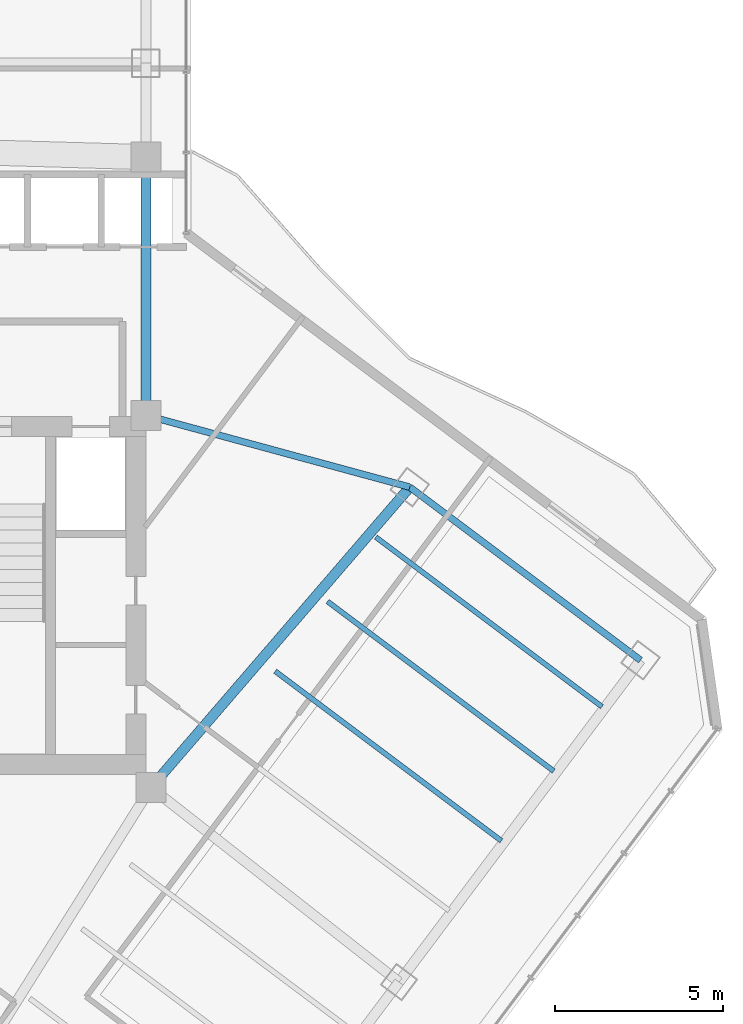
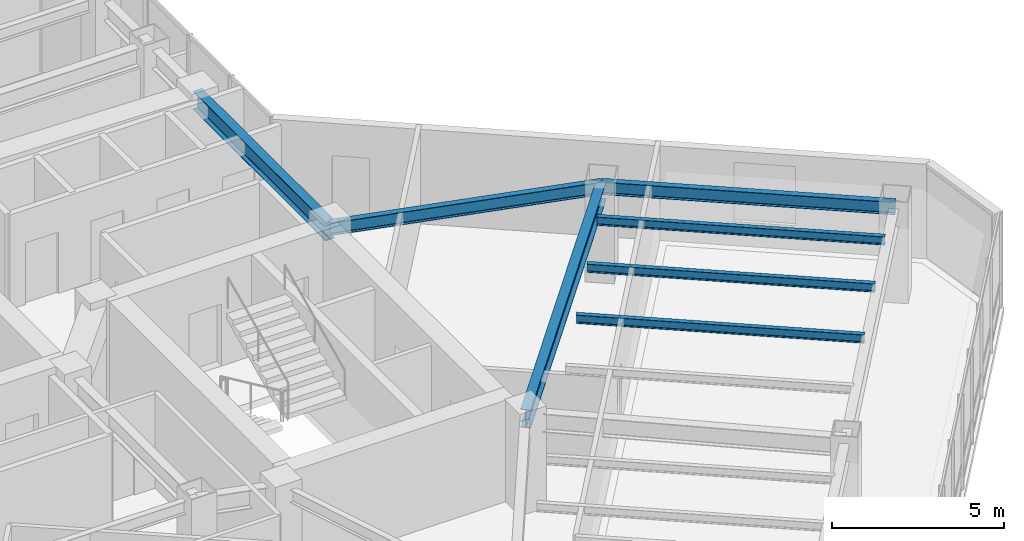
# One storey, part 14 of 26: 7 beams.
"""IFC4 building model written with IfcOpenShell, lengths in metres."""

import ifcopenshell
import ifcopenshell.guid

model = None  # the IFC model being written
_history = None  # IfcOwnerHistory: only IFC2X3 demands one
_inside = {}  # id of a spatial element -> (the spatial element, [elements in it])
_under = {}  # id of a project, library or spatial element -> (it, [spatial elements below it])
_declared = {}  # id of a project -> (the project, [libraries it declares])
_typed = {}  # id of a type object -> (the type object, [elements of that type])
_made_of = {}  # id of a material, layer set ... -> (it, [elements and type objects made of it])


def new_model(schema):
    """Start an empty IFC model of exactly this schema.

    Asked for "IFC4X3", IfcOpenShell would pick the latest addendum, in which some entities
    have other attributes; the version numbers below select the first issue.
    IFC2X3 requires an IfcOwnerHistory on every rooted entity: one is made here for all.
    """
    global model, _history
    if schema == "IFC4X3":
        model = ifcopenshell.file(schema_version=(4, 3, 0, 0))
    else:
        model = ifcopenshell.file(schema=schema)
    _inside.clear()
    _under.clear()
    _declared.clear()
    _typed.clear()
    _made_of.clear()
    _history = None
    if model.schema == "IFC2X3":
        org = make("IfcOrganization", Name="unknown")
        user = make(
            "IfcPersonAndOrganization",
            ThePerson=make("IfcPerson", FamilyName="unknown"),
            TheOrganization=org,
        )
        app = make(
            "IfcApplication",
            ApplicationDeveloper=org,
            Version="unknown",
            ApplicationFullName="unknown",
            ApplicationIdentifier="unknown",
        )
        _history = make(
            "IfcOwnerHistory",
            OwningUser=user,
            OwningApplication=app,
            ChangeAction="ADDED",
            CreationDate=0,
        )
    return model


def make(cls, **values):
    """One entity of the class cls with the attributes given. An attribute that is None is left unset."""
    return model.create_entity(
        cls, **{name: value for name, value in values.items() if value is not None}
    )


def rooted(cls, **values):
    """An entity with a GlobalId (a new one), such as an element, a storey or a relation."""
    return make(cls, GlobalId=ifcopenshell.guid.new(), OwnerHistory=_history, **values)


def si_unit(unit_type, name, prefix=None):
    """IfcSIUnit, for example si_unit("LENGTHUNIT", "METRE", prefix="MILLI")."""
    return make("IfcSIUnit", UnitType=unit_type, Prefix=prefix, Name=name)


def assignment(units):
    """IfcUnitAssignment: the units of a project."""
    return None if units is None else make("IfcUnitAssignment", Units=units)


def point(xyz):
    """IfcCartesianPoint."""
    return None if xyz is None else make("IfcCartesianPoint", Coordinates=xyz)


def direction(xyz):
    """IfcDirection."""
    return None if xyz is None else make("IfcDirection", DirectionRatios=xyz)


def frame(location, z_axis=None, x_axis=None):
    """IfcAxis2Placement3D, a coordinate frame: its origin and axes. An axis left out is left unset."""
    return make(
        "IfcAxis2Placement3D",
        Location=point(location),
        Axis=direction(z_axis),
        RefDirection=direction(x_axis),
    )


def frame_2d(location, x_axis=None):
    """IfcAxis2Placement2D, a coordinate frame in the plane: its origin and x axis."""
    return make(
        "IfcAxis2Placement2D", Location=point(location), RefDirection=direction(x_axis)
    )


def origin():
    """The frame at (0, 0, 0) with its axes left unset."""
    return frame((0.0, 0.0, 0.0))


def origin_2d():
    """The frame at (0, 0) in the plane with its x axis left unset."""
    return frame_2d((0.0, 0.0))


def place(relative_to, where):
    """IfcLocalPlacement: puts the frame where relative to a parent placement (None: the world)."""
    return make(
        "IfcLocalPlacement", PlacementRelTo=relative_to, RelativePlacement=where
    )


def context(
    kind, dimensions, precision=None, world=None, true_north=None, identifier=None
):
    """IfcGeometricRepresentationContext, for example the 3D "Model" context."""
    return make(
        "IfcGeometricRepresentationContext",
        ContextIdentifier=identifier,
        ContextType=kind,
        CoordinateSpaceDimension=dimensions,
        Precision=precision,
        WorldCoordinateSystem=world,
        TrueNorth=true_north,
    )


def subcontext(parent, identifier, kind, view, scale=None):
    """IfcGeometricRepresentationSubContext, for example "Body" below "Model"."""
    return make(
        "IfcGeometricRepresentationSubContext",
        ContextIdentifier=identifier,
        ContextType=kind,
        ParentContext=parent,
        TargetScale=scale,
        TargetView=view,
    )


def project(units=None, contexts=None):
    """IfcProject with its units and contexts."""
    return rooted(
        "IfcProject",
        Name="project",
        RepresentationContexts=contexts,
        UnitsInContext=assignment(units),
    )


def spatial(cls, under=None, at=None, **own):
    """A site, building, storey or space (cls), placed at a placement, below another one or the project."""
    s = rooted(cls, ObjectPlacement=at, **own)
    if under is not None:
        _under.setdefault(under.id(), (under, []))[1].append(s)
    return s


def profile(cls, at=None, kind="AREA", **sizes):
    """A parametric profile (cls). Its sizes go by their IFC names, for example OverallWidth=200.0."""
    return make(cls, ProfileType=kind, Position=at, **sizes)


def i_section(**sizes):
    """IfcIShapeProfileDef."""
    return profile("IfcIShapeProfileDef", **sizes)


def extrude(swept, where, along, depth):
    """IfcExtrudedAreaSolid: the profile swept, set in the frame where, extruded along a direction by depth."""
    return make(
        "IfcExtrudedAreaSolid",
        SweptArea=swept,
        Position=where,
        ExtrudedDirection=direction(along),
        Depth=depth,
    )


def shape(context_of_items, identifier, shape_type, items):
    """IfcShapeRepresentation: the items that make up one representation, for example the "Body"."""
    return make(
        "IfcShapeRepresentation",
        ContextOfItems=context_of_items,
        RepresentationIdentifier=identifier,
        RepresentationType=shape_type,
        Items=items,
    )


def material(Name=None, Category=None):
    """IfcMaterial."""
    return make("IfcMaterial", Name=Name, Category=Category)


def material_profile(
    of_material, cross_section, Name=None, Category=None, Priority=None
):
    """IfcMaterialProfile: a cross section and its material."""
    return make(
        "IfcMaterialProfile",
        Name=Name,
        Material=of_material,
        Profile=cross_section,
        Priority=Priority,
        Category=Category,
    )


def profile_set(profiles, Name=None, composite=None):
    """IfcMaterialProfileSet."""
    return make(
        "IfcMaterialProfileSet",
        Name=Name,
        MaterialProfiles=profiles,
        CompositeProfile=composite,
    )


def made_of(thing, what):
    """Note that an element or type object is made of a material, layer set ...; save() writes the relation."""
    if what is not None:
        _made_of.setdefault(what.id(), (what, []))[1].append(thing)
    return thing


def type_object(cls, material=None, **own):
    """A type object (cls), such as IfcWallType, which elements share."""
    return made_of(rooted(cls, **own), material)


def element(
    cls,
    number,
    at=None,
    inside=None,
    cuts=None,
    type_object=None,
    material=None,
    context=None,
    identifier="Body",
    shape_type=None,
    held_by="IfcProductDefinitionShape",
    body=None,
    shapes=None,
    **own,
):
    """One element of the class cls, such as IfcWall. Its Tag is "e" and its number.

    at: its placement. inside: the storey or other place that contains it. cuts: it is an
    opening in that element (IfcRelVoidsElement). A single representation is given by context,
    identifier, shape_type and body (its items); several are given by shapes. held_by: the class
    of the entity that holds the representations. save() writes the other relations.
    """
    e = rooted(cls, Tag="e%d" % number, ObjectPlacement=at, **own)
    if body is not None:
        shapes = [shape(context, identifier, shape_type, body)]
    if shapes is not None:
        e.Representation = make(held_by, Representations=shapes)
    if inside is not None:
        _inside.setdefault(inside.id(), (inside, []))[1].append(e)
    if cuts is not None:
        rooted(
            "IfcRelVoidsElement", RelatingBuildingElement=cuts, RelatedOpeningElement=e
        )
    if type_object is not None:
        _typed.setdefault(type_object.id(), (type_object, []))[1].append(e)
    return made_of(e, material)


def aggregate(whole, parts):
    """IfcRelAggregates: a whole, such as a stair, and the parts it consists of."""
    return rooted("IfcRelAggregates", RelatingObject=whole, RelatedObjects=parts)


def save(model, path):
    """Write the relations noted so far, then the file.

    IfcRelAggregates (storeys below a building ...), IfcRelContainedInSpatialStructure (elements
    in a storey), IfcRelDefinesByType, IfcRelAssociatesMaterial and IfcRelDeclares: one each for
    every whole, place, type object, material and project.
    """
    for whole, parts in _under.values():
        aggregate(whole, parts)
    for where, things in _inside.values():
        rooted(
            "IfcRelContainedInSpatialStructure",
            RelatedElements=things,
            RelatingStructure=where,
        )
    for kind, things in _typed.values():
        rooted("IfcRelDefinesByType", RelatedObjects=things, RelatingType=kind)
    for what, things in _made_of.values():
        rooted("IfcRelAssociatesMaterial", RelatedObjects=things, RelatingMaterial=what)
    for by, libraries in _declared.values():
        rooted("IfcRelDeclares", RelatingContext=by, RelatedDefinitions=libraries)
    model.write(path)


model = new_model("IFC4")

# Units and contexts
model_context = context("Model", 3, precision=1e-05, world=origin(), true_north=direction((0.0, 1.0)))
body_context = subcontext(model_context, "Body", "Model", "MODEL_VIEW")
ifc_project = project(units=[si_unit("LENGTHUNIT", "METRE"), si_unit("AREAUNIT", "SQUARE_METRE"), si_unit("VOLUMEUNIT", "CUBIC_METRE"), si_unit("PLANEANGLEUNIT", "RADIAN"), si_unit("MASSUNIT", "GRAM", prefix="KILO")], contexts=[model_context])

# Site, building, storey
site_placement = place(None, origin())
site = spatial("IfcSite", under=ifc_project, at=site_placement, CompositionType="ELEMENT")
building_placement = place(site_placement, origin())
building = spatial("IfcBuilding", under=site, at=building_placement, Name="Hatsunagi Terrace Concourse", CompositionType="ELEMENT")
storey_placement = place(building_placement, frame((0.0, 0.0, 134.85009765625)))
storey = spatial("IfcBuildingStorey", under=building, at=storey_placement, Name="L35", CompositionType="ELEMENT", Elevation=134.85009765625)

# Beams
ifc_material_1 = material(Name="Steel SN490B", Category="steel")
ifc_material_profile_1 = material_profile(ifc_material_1, i_section(OverallWidth=0.14990234375, OverallDepth=0.300048828125, WebThickness=0.006591796875, FlangeThickness=0.009033203125, FilletRadius=0.010986328125, at=origin_2d()), Name="H-300x150x6.5x9")
ifc_profile_set_1 = profile_set([ifc_material_profile_1], Name="Steel SN490B")
beam_type_1 = type_object("IfcBeamType", Name="OfficeJoist_H_300x150", PredefinedType="JOIST", material=ifc_profile_set_1)
for number, where, z_axis, x_axis, name in (
    (1, (47.508056640625, 27.6689453125, 3.199951171875), (0.800003475366, -0.59999536615, 0.0), (0.59999536615, 0.800003475366, 0.0), "Beam J-03 J-L35-SE-2-168"),
    (2, (49.068115234375, 29.7490234375, 3.199951171875), (0.799989573921, -0.600013901187, 0.0), (0.600013901187, 0.799989573921, 0.0), "Beam J-03 J-L35-SE-2-194"),
    (3, (50.508056640625, 31.6689453125, 3.199951171875), (0.800003475366, -0.59999536615, 0.0), (0.59999536615, 0.800003475366, 0.0), "Beam J-03 J-L35-SE-2-218"),
):
    element("IfcBeam", number, at=place(storey_placement, frame(where, z_axis=z_axis, x_axis=x_axis)), inside=storey, type_object=beam_type_1, Name=name, PredefinedType="JOIST", context=body_context, shape_type="SweptSolid", body=[
        extrude(i_section(OverallWidth=0.14990234375, OverallDepth=0.300048828125, WebThickness=0.006591796875, FlangeThickness=0.009033203125, FilletRadius=0.010986328125, at=origin_2d()), origin(), (0.0, 0.0, 1.0), 8.429931640625),
    ])
ifc_material_2 = material(Name="Steel SN490B", Category="steel")
ifc_material_profile_2 = material_profile(ifc_material_2, i_section(OverallWidth=0.300048828125, OverallDepth=0.64990234375, WebThickness=0.012939453125, FlangeThickness=0.02197265625, FilletRadius=0.01806640625, at=origin_2d()), Name="H-650x300x13x22")
ifc_profile_set_2 = profile_set([ifc_material_profile_2], Name="Steel SN490B")
beam_type_2 = type_object("IfcBeamType", Name="OfficeLowGirder_H_650x300", PredefinedType="BEAM", material=ifc_profile_set_2)
beam_1_placement = place(storey_placement, frame((43.64990234375, 35.300048828125, 3.02490234375), z_axis=(0.0, 1.0, 0.0), x_axis=(-1.0, 0.0, 0.0)))
element("IfcBeam", 4, at=beam_1_placement, inside=storey, type_object=beam_type_2, Name="Beam G-05 BM-L35-CBK3", PredefinedType="BEAM", context=body_context, shape_type="SweptSolid", body=[
    extrude(i_section(OverallWidth=0.300048828125, OverallDepth=0.64990234375, WebThickness=0.012939453125, FlangeThickness=0.02197265625, FilletRadius=0.01806640625, at=origin_2d()), origin(), (0.0, 0.0, 1.0), 7.699951171875),
])
beam_2_placement = place(storey_placement, frame((43.800048828125, 24.199951171875, 3.02490234375), z_axis=(0.652739101421, 0.757582777969, 0.0), x_axis=(-0.757582777969, 0.652739101421, 0.0)))
element("IfcBeam", 5, at=beam_2_placement, inside=storey, type_object=beam_type_2, Name="Beam G-05 BM-L35-SET-1B", PredefinedType="BEAM", context=body_context, shape_type="SweptSolid", body=[
    extrude(i_section(OverallWidth=0.300048828125, OverallDepth=0.64990234375, WebThickness=0.012939453125, FlangeThickness=0.02197265625, FilletRadius=0.01806640625, at=origin_2d()), origin(), (0.0, 0.0, 1.0), 11.8271484375),
])
ifc_material_3 = material(Name="Steel SN490B", Category="steel")
ifc_material_profile_3 = material_profile(ifc_material_3, i_section(OverallWidth=0.199951171875, OverallDepth=0.449951171875, WebThickness=0.009033203125, FlangeThickness=0.013916015625, FilletRadius=0.01611328125, at=origin_2d()), Name="H-450x200x9x14")
ifc_profile_set_3 = profile_set([ifc_material_profile_3], Name="Steel SN490B")
beam_type_3 = type_object("IfcBeamType", Name="PerimeterSpandrel_H_450x200", PredefinedType="SPANDREL", material=ifc_profile_set_3)
beam_3_placement = place(storey_placement, frame((43.64990234375, 35.300048828125, 3.125), z_axis=(0.964958359286, -0.262403057994, 0.0), x_axis=(0.262403057994, 0.964958359286, 0.0)))
element("IfcBeam", 6, at=beam_3_placement, inside=storey, type_object=beam_type_3, Name="Beam SP-02 BM-L35-SE-NE0", PredefinedType="SPANDREL", context=body_context, shape_type="SweptSolid", body=[
    extrude(i_section(OverallWidth=0.199951171875, OverallDepth=0.449951171875, WebThickness=0.009033203125, FlangeThickness=0.013916015625, FilletRadius=0.01611328125, at=origin_2d()), origin(), (0.0, 0.0, 1.0), 8.156005859375),
])
beam_4_placement = place(storey_placement, frame((51.52001953125, 33.159912109375, 3.125), z_axis=(0.8, -0.6, 0.0), x_axis=(0.6, 0.8, 0.0)))
element("IfcBeam", 7, at=beam_4_placement, inside=storey, type_object=beam_type_3, Name="Beam SP-02 BM-L35-SE-NE2", PredefinedType="SPANDREL", context=body_context, shape_type="SweptSolid", body=[
    extrude(i_section(OverallWidth=0.199951171875, OverallDepth=0.449951171875, WebThickness=0.009033203125, FlangeThickness=0.013916015625, FilletRadius=0.01611328125, at=origin_2d()), origin(), (0.0, 0.0, 1.0), 8.599853515625),
])

save(model, "model.ifc")
